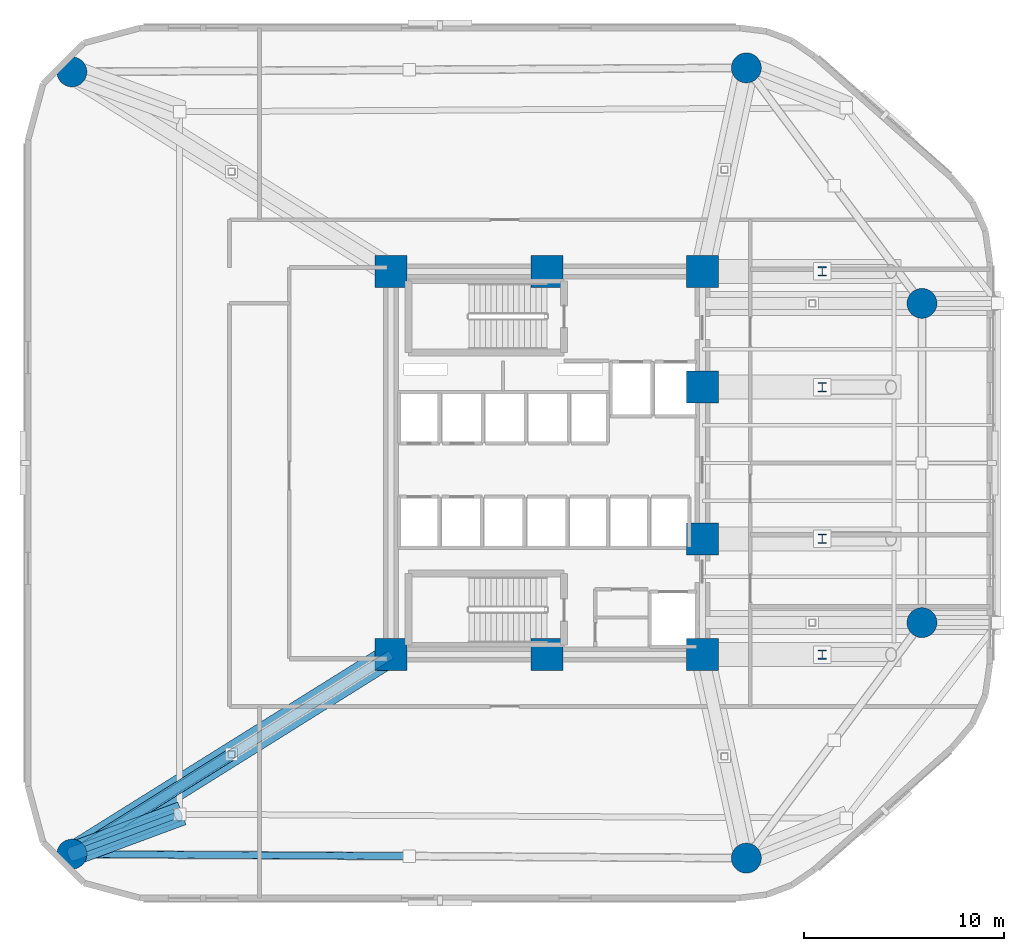
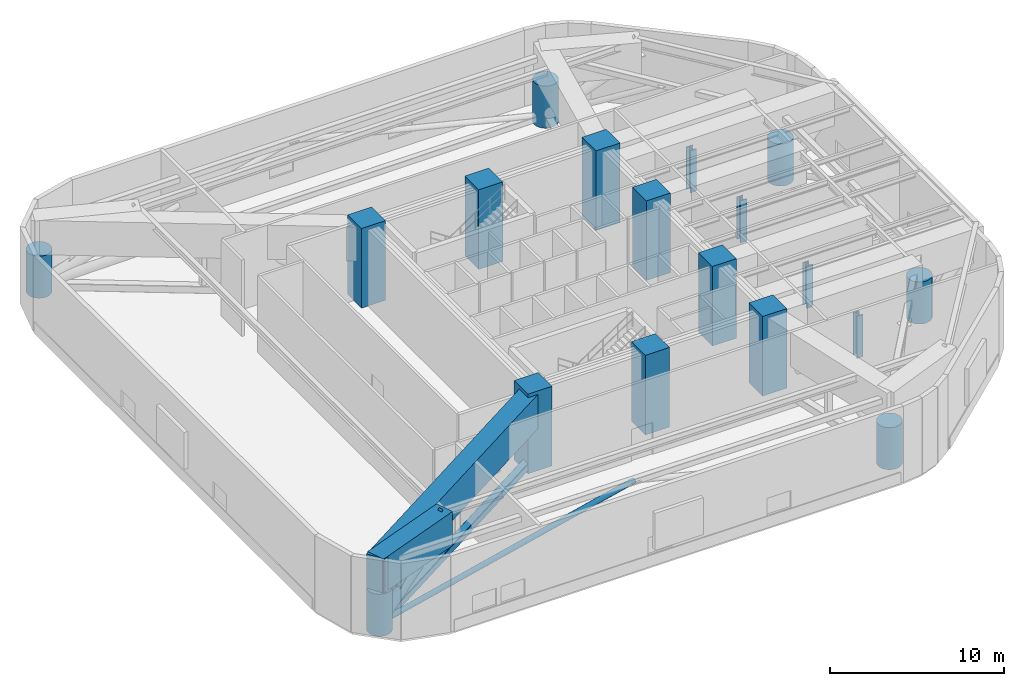
# One storey, part 1 of 11: 18 columns, 4 members, 3 beams.
"""IFC4 building model written with IfcOpenShell, lengths in metres."""

from ifc_helpers import new_model, si_unit, direction, frame, origin, origin_2d, place, context, subcontext, project, spatial, rectangle, hollow_rectangle, circle, hollow_circle, i_section, extrude, material, material_profile, profile_set, type_object, element, save


model = new_model("IFC4")

# Units and contexts
model_context = context("Model", 3, precision=1e-05, world=origin(), true_north=direction((0.0, 1.0)))
body_context = subcontext(model_context, "Body", "Model", "MODEL_VIEW")
ifc_project = project(units=[si_unit("LENGTHUNIT", "METRE"), si_unit("AREAUNIT", "SQUARE_METRE"), si_unit("VOLUMEUNIT", "CUBIC_METRE"), si_unit("PLANEANGLEUNIT", "RADIAN"), si_unit("MASSUNIT", "GRAM", prefix="KILO")], contexts=[model_context])

# Site, building, storey
site_placement = place(None, origin())
site = spatial("IfcSite", under=ifc_project, at=site_placement, CompositionType="ELEMENT")
building_placement = place(site_placement, origin())
building = spatial("IfcBuilding", under=site, at=building_placement, Name="An Khanh Terracotta Commons", CompositionType="ELEMENT")
storey_placement = place(building_placement, frame((0.0, 0.0, 75.60009765625)))
storey = spatial("IfcBuildingStorey", under=building, at=storey_placement, Name="L20", CompositionType="ELEMENT", Elevation=75.60009765625)

# Columns
ifc_material_1 = material(Name="Concrete C70/85", Category="concrete")
ifc_material_profile_1 = material_profile(ifc_material_1, circle(Radius=0.75, at=origin_2d()), Name="CFST1500")
ifc_profile_set_1 = profile_set([ifc_material_profile_1], Name="Concrete C70/85")
column_type_1 = type_object("IfcColumnType", Name="COL-CFST1500", PredefinedType="COLUMN", material=ifc_profile_set_1)
for number, where, z_axis, x_axis, name in (
    (1, (5.60009765625, 4.39990234375, 0.0), (0.0, 0.0, 1.0), (1.0, 0.0, 0.0), "L20 Perimeter CFST Mega-Column MC-01"),
    (2, (39.39990234375, 4.199951171875, 0.0), (0.0, 0.0, 1.0), (1.0, 0.0, 0.0), "L20 Perimeter CFST Mega-Column MC-02"),
    (3, (48.199951171875, 16.0, 0.0), (0.0, 0.0, 1.0), (1.0, 0.0, 0.0), "L20 Perimeter CFST Mega-Column MC-03"),
    (4, (48.199951171875, 32.0, 0.0), (0.0, 0.0, 1.0), (1.0, 0.0, 0.0), "L20 Perimeter CFST Mega-Column MC-04"),
    (5, (39.39990234375, 43.800048828125, 0.0), (0.0, 0.0, 1.0), (1.0, 0.0, 0.0), "L20 Perimeter CFST Mega-Column MC-05"),
    (6, (5.60009765625, 43.60009765625, 0.0), (0.0, 0.0, 1.0), (1.0, 0.0, 0.0), "L20 Perimeter CFST Mega-Column MC-06"),
):
    element("IfcColumn", number, at=place(storey_placement, frame(where, z_axis=z_axis, x_axis=x_axis)), inside=storey, type_object=column_type_1, Name=name, PredefinedType="COLUMN", context=body_context, shape_type="SweptSolid", body=[
        extrude(circle(Radius=0.75, at=origin_2d()), origin(), (0.0, 0.0, 1.0), 2.9599609375),
    ])
ifc_material_2 = material(Name="Steel S460ML", Category="steel")
ifc_material_profile_2 = material_profile(ifc_material_2, i_section(OverallWidth=0.4169921875, OverallDepth=0.47705078125, WebThickness=0.035888671875, FlangeThickness=0.057373046875, FilletRadius=0.014892578125, at=origin_2d()), Name="HD400x463")
ifc_profile_set_2 = profile_set([ifc_material_profile_2], Name="Steel S460ML")
column_type_2 = type_object("IfcColumnType", Name="COL-HD400x463", PredefinedType="COLUMN", material=ifc_profile_set_2)
for number, where, z_axis, x_axis, name in (
    (7, (43.199951171875, 14.39990234375, 0.0), (0.0, 0.0, 1.0), (1.0, 0.0, 0.0), "L20 Interior Frame Column TC-01"),
    (8, (43.199951171875, 20.199951171875, 0.0), (0.0, 0.0, 1.0), (1.0, 0.0, 0.0), "L20 Interior Frame Column TC-02"),
    (9, (43.199951171875, 27.800048828125, 0.0), (0.0, 0.0, 1.0), (1.0, 0.0, 0.0), "L20 Interior Frame Column TC-03"),
    (10, (43.199951171875, 33.60009765625, 0.0), (0.0, 0.0, 1.0), (1.0, 0.0, 0.0), "L20 Interior Frame Column TC-04"),
):
    element("IfcColumn", number, at=place(storey_placement, frame(where, z_axis=z_axis, x_axis=x_axis)), inside=storey, type_object=column_type_2, Name=name, PredefinedType="COLUMN", context=body_context, shape_type="SweptSolid", body=[
        extrude(i_section(OverallWidth=0.4169921875, OverallDepth=0.47705078125, WebThickness=0.035888671875, FlangeThickness=0.057373046875, FilletRadius=0.014892578125, at=origin_2d()), origin(), (0.0, 0.0, 1.0), 2.9599609375),
    ])
ifc_material_profile_3 = material_profile(ifc_material_1, rectangle(XDim=1.60009765625, YDim=1.60009765625, at=origin_2d()), Name="RC1600x1600")
ifc_profile_set_3 = profile_set([ifc_material_profile_3], Name="Concrete C70/85")
column_type_3 = type_object("IfcColumnType", Name="COL-RC1600x1600", PredefinedType="COLUMN", material=ifc_profile_set_3)
for number, where, z_axis, x_axis, name in (
    (11, (21.60009765625, 14.39990234375, 0.0), (0.0, 0.0, 1.0), (1.0, 0.0, 0.0), "L20 Core Boundary Column CC-01"),
    (12, (29.39990234375, 14.39990234375, 0.0), (0.0, 0.0, 1.0), (1.0, 0.0, 0.0), "L20 Core Boundary Column CC-02"),
    (13, (37.199951171875, 14.39990234375, 0.0), (0.0, 0.0, 1.0), (1.0, 0.0, 0.0), "L20 Core Boundary Column CC-03"),
    (14, (37.199951171875, 20.199951171875, 0.0), (0.0, 0.0, 1.0), (1.0, 0.0, 0.0), "L20 Core Boundary Column CC-04"),
    (15, (37.199951171875, 27.800048828125, 0.0), (0.0, 0.0, 1.0), (1.0, 0.0, 0.0), "L20 Core Boundary Column CC-05"),
    (16, (37.199951171875, 33.60009765625, 0.0), (0.0, 0.0, 1.0), (1.0, 0.0, 0.0), "L20 Core Boundary Column CC-06"),
    (17, (29.39990234375, 33.60009765625, 0.0), (0.0, 0.0, 1.0), (1.0, 0.0, 0.0), "L20 Core Boundary Column CC-07"),
    (18, (21.60009765625, 33.60009765625, 0.0), (0.0, 0.0, 1.0), (1.0, 0.0, 0.0), "L20 Core Boundary Column CC-08"),
):
    element("IfcColumn", number, at=place(storey_placement, frame(where, z_axis=z_axis, x_axis=x_axis)), inside=storey, type_object=column_type_3, Name=name, PredefinedType="COLUMN", context=body_context, shape_type="SweptSolid", body=[
        extrude(rectangle(XDim=1.60009765625, YDim=1.60009765625, at=origin_2d()), origin(), (0.0, 0.0, 1.0), 5.599853515625),
    ])

# Members
ifc_material_profile_4 = material_profile(ifc_material_2, hollow_rectangle(XDim=0.5, YDim=0.5, WallThickness=0.02490234375, InnerFilletRadius=0.02490234375, OuterFilletRadius=0.050048828125, at=origin_2d()), Name="SHS500x500x25")
ifc_profile_set_4 = profile_set([ifc_material_profile_4], Name="Steel S460ML")
member_type_1 = type_object("IfcMemberType", Name="BELT-CHORD-SHS500", PredefinedType="CHORD", material=ifc_profile_set_4)
member_1_placement = place(storey_placement, frame((21.60009765625, 14.39990234375, 0.449951171875), z_axis=(-0.847998304005, -0.529998940003, 0.0), x_axis=(0.529998940003, -0.847998304005, 0.0)))
element("IfcMember", 19, at=member_1_placement, inside=storey, type_object=member_type_1, Name="L20 Outrigger Bottom Chord 1", PredefinedType="CHORD", context=body_context, shape_type="SweptSolid", body=[
    extrude(hollow_rectangle(XDim=0.5, YDim=0.5, WallThickness=0.02490234375, InnerFilletRadius=0.02490234375, OuterFilletRadius=0.050048828125, at=origin_2d()), origin(), (0.0, 0.0, 1.0), 18.867919921875),
])
ifc_material_profile_5 = material_profile(ifc_material_2, hollow_circle(Radius=0.177734375, WallThickness=0.01611328125, at=origin_2d()), Name="CHS355.6x16")
ifc_profile_set_5 = profile_set([ifc_material_profile_5], Name="Steel S460ML")
member_type_2 = type_object("IfcMemberType", Name="BELT-DIAG-CHS355", PredefinedType="BRACE", material=ifc_profile_set_5)
member_2_placement = place(storey_placement, frame((5.60009765625, 4.39990234375, 0.449951171875), z_axis=(0.970999749689, -0.005737177453, 0.239011654314), x_axis=(0.005908423058, 0.999982545116, 0.0)))
element("IfcMember", 20, at=member_2_placement, inside=storey, type_object=member_type_2, Name="L20 Belt-Truss Web Diagonal 1A", PredefinedType="BRACE", context=body_context, shape_type="SweptSolid", body=[
    extrude(hollow_circle(Radius=0.177734375, WallThickness=0.01611328125, at=origin_2d()), origin(), (0.0, 0.0, 1.0), 17.404541015625),
])

# Beams
ifc_material_3 = material(Name="Steel S355J2", Category="steel")
ifc_material_profile_6 = material_profile(ifc_material_3, i_section(OverallWidth=0.300048828125, OverallDepth=0.60009765625, WebThickness=0.015380859375, FlangeThickness=0.030029296875, FilletRadius=0.027099609375, at=origin_2d()), Name="HEB600")
ifc_profile_set_6 = profile_set([ifc_material_profile_6], Name="Steel S355J2")
beam_type_1 = type_object("IfcBeamType", Name="BM-HEB600", PredefinedType="BEAM", material=ifc_profile_set_6)
beam_1_placement = place(storey_placement, frame((5.60009765625, 4.39990234375, 0.0), z_axis=(0.692970673397, 0.256660446535, 0.673733672155), x_axis=(-0.347319879248, 0.937746714992, 0.0)))
element("IfcBeam", 21, at=beam_1_placement, inside=storey, type_object=beam_type_1, Name="L20 Outrigger Lower Column Tie Beam 1", PredefinedType="BEAM", context=body_context, shape_type="SweptSolid", body=[
    extrude(i_section(OverallWidth=0.300048828125, OverallDepth=0.60009765625, WebThickness=0.015380859375, FlangeThickness=0.030029296875, FilletRadius=0.027099609375, at=origin_2d()), origin(), (0.0, 0.0, 1.0), 7.79248046875),
])
ifc_material_4 = material(Name="Concrete C60/75", Category="concrete")
ifc_material_profile_7 = material_profile(ifc_material_4, rectangle(XDim=1.199951171875, YDim=2.39990234375, at=origin_2d()), Name="RCB1200x2400")
ifc_profile_set_7 = profile_set([ifc_material_profile_7], Name="Concrete C60/75")
beam_type_2 = type_object("IfcBeamType", Name="BM-RCB1200x2400", PredefinedType="BEAM", material=ifc_profile_set_7)
beam_2_placement = place(storey_placement, frame((21.60009765625, 14.39990234375, 4.159912109375), z_axis=(-0.848021733157, -0.529961451516, 0.0), x_axis=(0.529961451516, -0.848021733157, 0.0)))
element("IfcBeam", 22, at=beam_2_placement, inside=storey, type_object=beam_type_2, Name="L20 Outrigger Core-to-Mega Transfer Girder 1", PredefinedType="BEAM", context=body_context, shape_type="SweptSolid", body=[
    extrude(rectangle(XDim=1.199951171875, YDim=2.39990234375, at=origin_2d()), origin(), (0.0, 0.0, 1.0), 19.318115234375),
])
beam_3_placement = place(storey_placement, frame((5.27197265625, 4.278076171875, 4.159912109375), z_axis=(0.937724646142, 0.347379458255, 0.0), x_axis=(-0.347379458255, 0.937724646142, 0.0)))
element("IfcBeam", 23, at=beam_3_placement, inside=storey, type_object=beam_type_2, Name="L20 Mega-Column Step-Out Transfer Girder 1", PredefinedType="BEAM", context=body_context, shape_type="SweptSolid", body=[
    extrude(rectangle(XDim=1.199951171875, YDim=2.39990234375, at=origin_2d()), origin(), (0.0, 0.0, 1.0), 6.22900390625),
])

# Members
ifc_material_profile_8 = material_profile(ifc_material_2, hollow_circle(Radius=0.304931640625, WallThickness=0.030029296875, at=origin_2d()), Name="CHS610x30")
ifc_profile_set_8 = profile_set([ifc_material_profile_8], Name="Steel S460ML")
member_type_3 = type_object("IfcMemberType", Name="OUTRIGGER-DIAG-CHS610", PredefinedType="BRACE", material=ifc_profile_set_8)
member_3_placement = place(storey_placement, frame((13.60009765625, 9.39990234375, 4.60986328125), z_axis=(-0.77591368047, -0.484946050294, -0.403466589402), x_axis=(0.529998940003, -0.847998304005, 0.0)))
element("IfcMember", 24, at=member_3_placement, inside=storey, type_object=member_type_3, Name="L20 Outrigger Tie Diagonal 1B", PredefinedType="BRACE", context=body_context, shape_type="SweptSolid", body=[
    extrude(hollow_circle(Radius=0.304931640625, WallThickness=0.030029296875, at=origin_2d()), origin(), (0.0, 0.0, 1.0), 10.310546875),
])
ifc_material_profile_9 = material_profile(ifc_material_2, hollow_circle(Radius=0.35546875, WallThickness=0.031982421875, at=origin_2d()), Name="CHS711x32")
ifc_profile_set_9 = profile_set([ifc_material_profile_9], Name="Steel S460ML")
member_type_4 = type_object("IfcMemberType", Name="OUTRIGGER-RAKE-CHS711", PredefinedType="STRUT", material=ifc_profile_set_9)
member_4_placement = place(storey_placement, frame((5.60009765625, 4.39990234375, 0.449951171875), z_axis=(0.785049869339, 0.290753878525, 0.546954188917), x_axis=(-0.347308754617, 0.937750835226, 0.0)))
element("IfcMember", 25, at=member_4_placement, inside=storey, type_object=member_type_4, Name="L20 Zone-Step Raking Outrigger Strut 1", PredefinedType="STRUT", context=body_context, shape_type="SweptSolid", body=[
    extrude(hollow_circle(Radius=0.35546875, WallThickness=0.031982421875, at=origin_2d()), origin(), (0.0, 0.0, 1.0), 6.782958984375),
])

save(model, "model.ifc")
